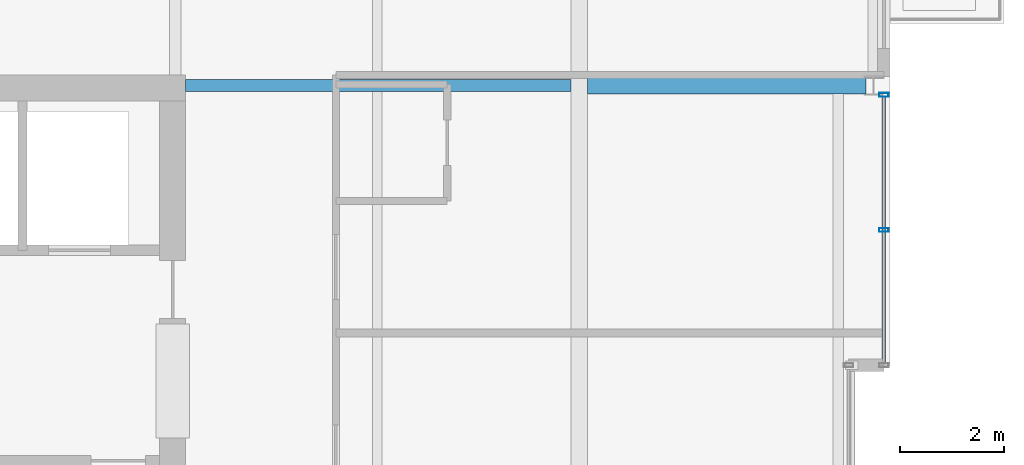
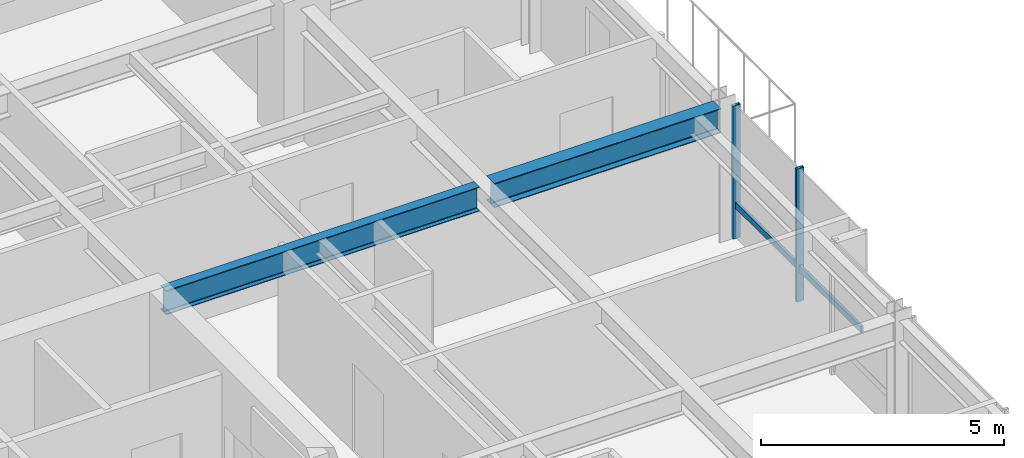
# One storey, part 23 of 33: 3 members, 2 beams, 1 element without a shape of its own.
"""IFC4 building model written with IfcOpenShell, lengths in metres."""

from ifc_helpers import new_model, si_unit, direction, frame, origin, origin_2d, place, context, subcontext, project, spatial, hollow_rectangle, i_section, extrude, material, layer, layer_set, material_profile, profile_set, type_object, element, aggregate, save


model = new_model("IFC4")

# Units and contexts
model_context = context("Model", 3, precision=1e-05, world=origin(), true_north=direction((0.0, 1.0)))
body_context = subcontext(model_context, "Body", "Model", "MODEL_VIEW")
ifc_project = project(units=[si_unit("LENGTHUNIT", "METRE"), si_unit("AREAUNIT", "SQUARE_METRE"), si_unit("VOLUMEUNIT", "CUBIC_METRE"), si_unit("PLANEANGLEUNIT", "RADIAN"), si_unit("MASSUNIT", "GRAM", prefix="KILO")], contexts=[model_context])

# Site, building, storey
site_placement = place(None, origin())
site = spatial("IfcSite", under=ifc_project, at=site_placement, CompositionType="ELEMENT")
building_placement = place(site_placement, origin())
building = spatial("IfcBuilding", under=site, at=building_placement, Name="Drelvath Grand Hotel", CompositionType="ELEMENT")
storey_placement = place(building_placement, frame((0.0, 0.0, 248.300048828125)))
storey = spatial("IfcBuildingStorey", under=building, at=storey_placement, Name="L65", CompositionType="ELEMENT", Elevation=248.300048828125)

# Curtain wall, members
ifc_material_1 = material(Name="Platinum-Mist Anodised Aluminium Frame", Category="aluminium")
ifc_layer = layer(ifc_material_1, 0.199951171875)
ifc_layer_set = layer_set([ifc_layer], Name="Platinum-Mist Anodised Aluminium Frame")
curtain_wall_type = type_object("IfcCurtainWallType", Name="Stick Curtain Wall CW-05 Platinum Mist High-Rise", PredefinedType="NOTDEFINED", material=ifc_layer_set)
curtain_wall_placement = place(storey_placement, origin())
curtain_wall = element("IfcCurtainWall", 1, at=curtain_wall_placement, inside=storey, type_object=curtain_wall_type, Name="L65 CW-05 Curtain Wall CW05-L65-EN1", PredefinedType="NOTDEFINED")
ifc_material_profile_1 = material_profile(ifc_material_1, hollow_rectangle(XDim=0.06494140625, YDim=0.159912109375, WallThickness=0.00390625, at=origin_2d()), Name="HSS160X65X4")
ifc_profile_set_1 = profile_set([ifc_material_profile_1], Name="Platinum-Mist Anodised Aluminium Frame")
member_type_1 = type_object("IfcMemberType", Name="Curtain Wall Horizontal Transom CW-05 HSS160X65X4", PredefinedType="USERDEFINED", material=ifc_profile_set_1)
member_1_placement = place(storey_placement, frame((22.080078125, 35.181884765625, 0.8349609375), z_axis=(0.0, -1.0, 0.0), x_axis=(1.0, 0.0, 0.0)))
member_1 = element("IfcMember", 2, at=member_1_placement, type_object=member_type_1, Name="CW05-L65-EN1 Sill Transom", ObjectType="TRANSOM", PredefinedType="USERDEFINED", context=body_context, shape_type="SweptSolid", body=[
    extrude(hollow_rectangle(XDim=0.06494140625, YDim=0.159912109375, WallThickness=0.00390625, at=origin_2d()), origin(), (0.0, 0.0, 1.0), 5.141845703125),
])
ifc_material_profile_2 = material_profile(ifc_material_1, hollow_rectangle(XDim=0.074951171875, YDim=0.179931640625, WallThickness=0.0048828125, at=origin_2d()), Name="HSS180X75X5")
ifc_profile_set_2 = profile_set([ifc_material_profile_2], Name="Platinum-Mist Anodised Aluminium Frame")
member_type_2 = type_object("IfcMemberType", Name="Curtain Wall Vertical Mullion CW-05 HSS180X75X5", PredefinedType="MULLION", material=ifc_profile_set_2)
member_2_placement = place(storey_placement, frame((22.080078125, 35.2216796875, 0.0), z_axis=(0.0, 0.0, 1.0), x_axis=(0.0, 1.0, 0.0)))
member_2 = element("IfcMember", 3, at=member_2_placement, type_object=member_type_2, Name="CW05-L65-EN1 Mullion 1", PredefinedType="MULLION", context=body_context, shape_type="SweptSolid", body=[
    extrude(hollow_rectangle(XDim=0.074951171875, YDim=0.179931640625, WallThickness=0.0048828125, at=origin_2d()), origin(), (0.0, 0.0, 1.0), 3.33984375),
])
member_3_placement = place(storey_placement, frame((22.080078125, 32.61083984375, 0.0), z_axis=(0.0, 0.0, 1.0), x_axis=(0.0, 1.0, 0.0)))
member_3 = element("IfcMember", 4, at=member_3_placement, type_object=member_type_2, Name="CW05-L65-EN1 Mullion 2", PredefinedType="MULLION", context=body_context, shape_type="SweptSolid", body=[
    extrude(hollow_rectangle(XDim=0.074951171875, YDim=0.179931640625, WallThickness=0.0048828125, at=origin_2d()), origin(), (0.0, 0.0, 1.0), 3.33984375),
])
aggregate(curtain_wall, [member_2, member_3, member_1])

# Beams
ifc_material_2 = material(Name="Steel ASTM A992 Gr 50", Category="steel")
ifc_material_profile_3 = material_profile(ifc_material_2, i_section(OverallWidth=0.323974609375, OverallDepth=0.611083984375, WebThickness=0.0126953125, FlangeThickness=0.01904296875, FilletRadius=0.02197265625, at=origin_2d()), Name="W24X104")
ifc_profile_set_3 = profile_set([ifc_material_profile_3], Name="Steel ASTM A992 Gr 50")
beam_type_1 = type_object("IfcBeamType", Name="Primary Floor Girder W24X104", PredefinedType="BEAM", material=ifc_profile_set_3)
beam_1_placement = place(storey_placement, frame((16.362060546875, 35.39990234375, 3.034423828125), z_axis=(1.0, 0.0, 0.0), x_axis=(0.0, 1.0, 0.0)))
element("IfcBeam", 5, at=beam_1_placement, inside=storey, type_object=beam_type_1, Name="L65 East Wing Girder F", PredefinedType="BEAM", context=body_context, shape_type="SweptSolid", body=[
    extrude(i_section(OverallWidth=0.323974609375, OverallDepth=0.611083984375, WebThickness=0.0126953125, FlangeThickness=0.01904296875, FilletRadius=0.02197265625, at=origin_2d()), origin(), (0.0, 0.0, 1.0), 5.3779296875),
])
ifc_material_profile_4 = material_profile(ifc_material_2, i_section(OverallWidth=0.228271484375, OverallDepth=0.607666015625, WebThickness=0.01123046875, FlangeThickness=0.017333984375, FilletRadius=0.02001953125, at=origin_2d()), Name="W24X76")
ifc_profile_set_4 = profile_set([ifc_material_profile_4], Name="Steel ASTM A992 Gr 50")
beam_type_2 = type_object("IfcBeamType", Name="Primary Floor Girder W24X76", PredefinedType="BEAM", material=ifc_profile_set_4)
beam_2_placement = place(storey_placement, frame((8.60009765625, 35.39990234375, 3.0361328125), z_axis=(1.0, 0.0, 0.0), x_axis=(0.0, 1.0, 0.0)))
element("IfcBeam", 6, at=beam_2_placement, inside=storey, type_object=beam_type_2, Name="L65 East Core Tie F", PredefinedType="BEAM", context=body_context, shape_type="SweptSolid", body=[
    extrude(i_section(OverallWidth=0.228271484375, OverallDepth=0.607666015625, WebThickness=0.01123046875, FlangeThickness=0.017333984375, FilletRadius=0.02001953125, at=origin_2d()), origin(), (0.0, 0.0, 1.0), 7.43798828125),
])

save(model, "model.ifc")
